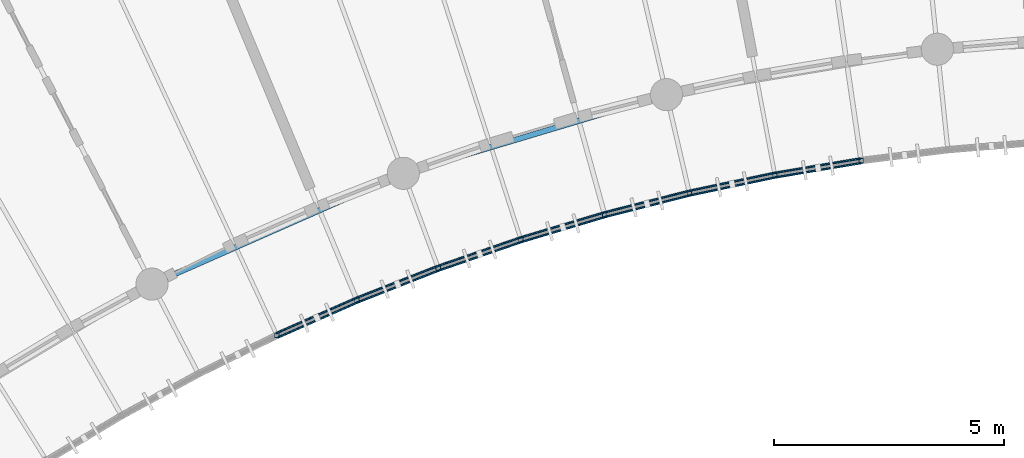
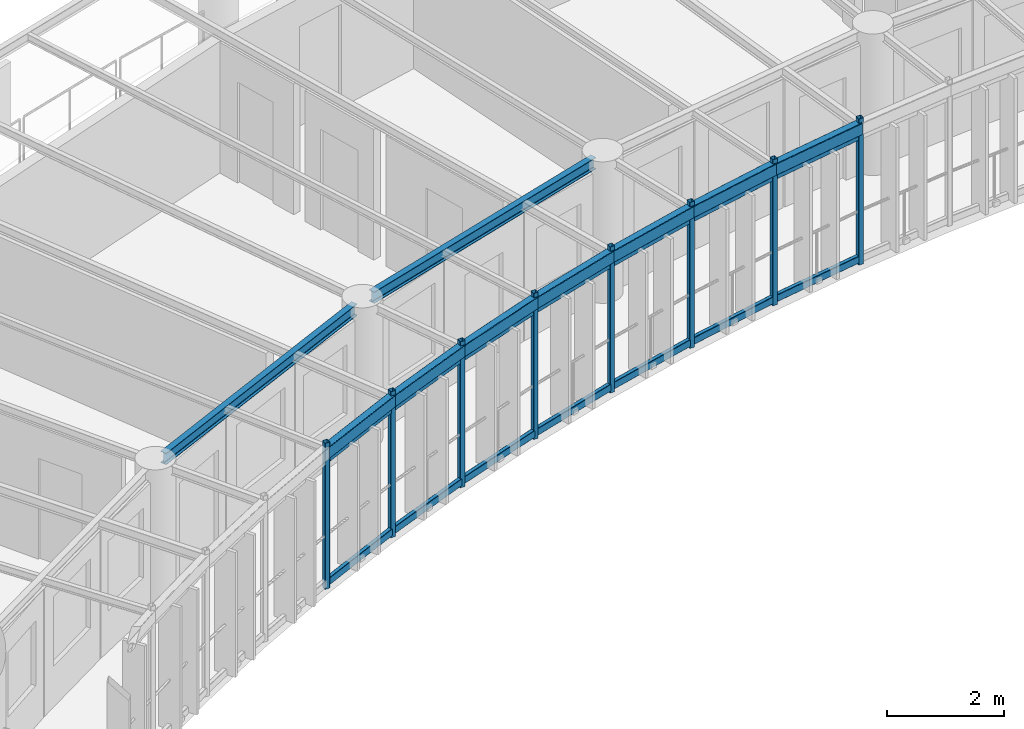
# One storey, part 44 of 123: 22 members, 9 beams.
"""IFC4 building model written with IfcOpenShell, lengths in metres."""

from ifc_helpers import new_model, si_unit, direction, frame, origin, origin_2d, place, context, subcontext, project, spatial, hollow_rectangle, i_section, extrude, material, material_profile, profile_set, type_object, element, save


model = new_model("IFC4")

# Units and contexts
model_context = context("Model", 3, precision=1e-05, world=origin(), true_north=direction((0.0, 1.0)))
body_context = subcontext(model_context, "Body", "Model", "MODEL_VIEW")
ifc_project = project(units=[si_unit("LENGTHUNIT", "METRE"), si_unit("AREAUNIT", "SQUARE_METRE"), si_unit("VOLUMEUNIT", "CUBIC_METRE"), si_unit("PLANEANGLEUNIT", "RADIAN"), si_unit("MASSUNIT", "GRAM", prefix="KILO"), si_unit("POWERUNIT", "WATT"), si_unit("THERMODYNAMICTEMPERATUREUNIT", "KELVIN")], contexts=[model_context])

# Site, building, storey
site_placement = place(None, origin())
site = spatial("IfcSite", under=ifc_project, at=site_placement, CompositionType="ELEMENT")
building_placement = place(site_placement, origin())
building = spatial("IfcBuilding", under=site, at=building_placement, Name="Ruvembo Vaulted Housing Court", CompositionType="ELEMENT")
storey_placement = place(building_placement, frame((0.0, 0.0, 7.699951171875)))
storey = spatial("IfcBuildingStorey", under=building, at=storey_placement, Name="L02", CompositionType="ELEMENT", Elevation=7.699951171875)

# Beams
ifc_material = material(Name="Steel S355J2", Category="steel")
ifc_material_profile_1 = material_profile(ifc_material, i_section(OverallWidth=0.1201171875, OverallDepth=0.239990234375, WebThickness=0.006103515625, FlangeThickness=0.009765625, FilletRadius=0.014892578125, at=origin_2d()), Name="IPE 240")
ifc_profile_set_1 = profile_set([ifc_material_profile_1], Name="Steel S355J2")
beam_type_1 = type_object("IfcBeamType", Name="BM-ST-IPE240", PredefinedType="BEAM", material=ifc_profile_set_1)
for number, where, z_axis, x_axis, name in (
    (1, (95.156982421875, 92.726806640625, 2.822021484375), (0.91508701691, 0.403256433901, 0.0), (-0.403256433901, 0.91508701691, 0.0), "Scoop SC3 L02 Chord Girder F3"),
    (2, (100.63330078125, 95.10888671875, 2.822021484375), (0.958083049786, 0.286490610164, 0.0), (-0.286490610164, 0.958083049786, 0.0), "Scoop SC3 L02 Chord Girder F6"),
):
    element("IfcBeam", number, at=place(storey_placement, frame(where, z_axis=z_axis, x_axis=x_axis)), inside=storey, type_object=beam_type_1, Name=name, PredefinedType="BEAM", context=body_context, shape_type="SweptSolid", body=[
        extrude(i_section(OverallWidth=0.1201171875, OverallDepth=0.239990234375, WebThickness=0.006103515625, FlangeThickness=0.009765625, FilletRadius=0.014892578125, at=origin_2d()), origin(), (0.0, 0.0, 1.0), 5.513671875),
    ])
ifc_material_profile_2 = material_profile(ifc_material, hollow_rectangle(XDim=0.14990234375, YDim=0.25, WallThickness=0.010009765625, InnerFilletRadius=0.010009765625, OuterFilletRadius=0.02001953125, at=origin_2d()), Name="RHS 250x150x10")
ifc_profile_set_2 = profile_set([ifc_material_profile_2], Name="Steel S355J2")
beam_type_2 = type_object("IfcBeamType", Name="BM-ST-RHS250", PredefinedType="SPANDREL", material=ifc_profile_set_2)
for number, where, z_axis, x_axis, name in (
    (3, (97.663818359375, 91.51806640625, 2.81494140625), (0.91507815309, 0.403276547467, 0.0), (-0.403276547467, 0.91507815309, 0.0), "Scoop SC3 L02 Balcony Edge Spandrel 4"),
    (4, (99.4033203125, 92.28466796875, 2.81494140625), (0.931005720133, 0.365004587752, 0.0), (-0.365004587752, 0.931005720133, 0.0), "Scoop SC3 L02 Balcony Edge Spandrel 5"),
):
    element("IfcBeam", number, at=place(storey_placement, frame(where, z_axis=z_axis, x_axis=x_axis)), inside=storey, type_object=beam_type_2, Name=name, PredefinedType="SPANDREL", context=body_context, shape_type="SweptSolid", body=[
        extrude(hollow_rectangle(XDim=0.14990234375, YDim=0.25, WallThickness=0.010009765625, InnerFilletRadius=0.010009765625, OuterFilletRadius=0.02001953125, at=origin_2d()), origin(), (0.0, 0.0, 1.0), 1.90087890625),
    ])
beam_1_placement = place(storey_placement, frame((101.173095703125, 92.978515625, 2.81494140625), z_axis=(0.945357969834, 0.326034214264, 0.0), x_axis=(-0.326034214264, 0.945357969834, 0.0)))
element("IfcBeam", 5, at=beam_1_placement, inside=storey, type_object=beam_type_2, Name="Scoop SC3 L02 Balcony Edge Spandrel 6", PredefinedType="SPANDREL", context=body_context, shape_type="SweptSolid", body=[
    extrude(hollow_rectangle(XDim=0.14990234375, YDim=0.25, WallThickness=0.010009765625, InnerFilletRadius=0.010009765625, OuterFilletRadius=0.02001953125, at=origin_2d()), origin(), (0.0, 0.0, 1.0), 1.9013671875),
])
for number, where, z_axis, x_axis, name in (
    (6, (102.970458984375, 93.598388671875, 2.81494140625), (0.958108609181, 0.286405120439, 0.0), (-0.286405120439, 0.958108609181, 0.0), "Scoop SC3 L02 Balcony Edge Spandrel 7"),
    (7, (104.791748046875, 94.142822265625, 2.81494140625), (0.969121730429, 0.246582788553, 0.0), (-0.246582788553, 0.969121730429, 0.0), "Scoop SC3 L02 Balcony Edge Spandrel 8"),
):
    element("IfcBeam", number, at=place(storey_placement, frame(where, z_axis=z_axis, x_axis=x_axis)), inside=storey, type_object=beam_type_2, Name=name, PredefinedType="SPANDREL", context=body_context, shape_type="SweptSolid", body=[
        extrude(hollow_rectangle(XDim=0.14990234375, YDim=0.25, WallThickness=0.010009765625, InnerFilletRadius=0.010009765625, OuterFilletRadius=0.02001953125, at=origin_2d()), origin(), (0.0, 0.0, 1.0), 1.90087890625),
    ])
beam_2_placement = place(storey_placement, frame((106.634033203125, 94.611572265625, 2.81494140625), z_axis=(0.978529342624, 0.206107558387, 0.0), x_axis=(-0.206107558387, 0.978529342624, 0.0)))
element("IfcBeam", 8, at=beam_2_placement, inside=storey, type_object=beam_type_2, Name="Scoop SC3 L02 Balcony Edge Spandrel 9", PredefinedType="SPANDREL", context=body_context, shape_type="SweptSolid", body=[
    extrude(hollow_rectangle(XDim=0.14990234375, YDim=0.25, WallThickness=0.010009765625, InnerFilletRadius=0.010009765625, OuterFilletRadius=0.02001953125, at=origin_2d()), origin(), (0.0, 0.0, 1.0), 1.901123046875),
])
beam_3_placement = place(storey_placement, frame((108.494384765625, 95.00341796875, 2.81494140625), z_axis=(0.986265186139, 0.165169557153, 0.0), x_axis=(-0.165169557153, 0.986265186139, 0.0)))
element("IfcBeam", 9, at=beam_3_placement, inside=storey, type_object=beam_type_2, Name="Scoop SC3 L02 Balcony Edge Spandrel 10", PredefinedType="SPANDREL", context=body_context, shape_type="SweptSolid", body=[
    extrude(hollow_rectangle(XDim=0.14990234375, YDim=0.25, WallThickness=0.010009765625, InnerFilletRadius=0.010009765625, OuterFilletRadius=0.02001953125, at=origin_2d()), origin(), (0.0, 0.0, 1.0), 1.90087890625),
])

# Members
ifc_material_profile_3 = material_profile(ifc_material, hollow_rectangle(XDim=0.06005859375, YDim=0.1201171875, WallThickness=0.0048828125, InnerFilletRadius=0.0048828125, OuterFilletRadius=0.010009765625, at=origin_2d()), Name="RHS 120x60x5")
ifc_profile_set_3 = profile_set([ifc_material_profile_3], Name="Steel S355J2")
member_type_1 = type_object("IfcMemberType", Name="MEM-CAR-RHS120", PredefinedType="CHORD", material=ifc_profile_set_3)
for number, where, z_axis, x_axis, name in (
    (10, (97.663818359375, 91.51806640625, 2.633056640625), (0.91507815309, 0.403276547467, 0.0), (-0.403276547467, 0.91507815309, 0.0), "Scoop SC3 L02 Upper Louvre Carrier Rail 4"),
    (11, (99.4033203125, 92.28466796875, 2.633056640625), (0.931005720133, 0.365004587752, 0.0), (-0.365004587752, 0.931005720133, 0.0), "Scoop SC3 L02 Upper Louvre Carrier Rail 5"),
):
    element("IfcMember", number, at=place(storey_placement, frame(where, z_axis=z_axis, x_axis=x_axis)), inside=storey, type_object=member_type_1, Name=name, PredefinedType="CHORD", context=body_context, shape_type="SweptSolid", body=[
        extrude(hollow_rectangle(XDim=0.06005859375, YDim=0.1201171875, WallThickness=0.0048828125, InnerFilletRadius=0.0048828125, OuterFilletRadius=0.010009765625, at=origin_2d()), origin(), (0.0, 0.0, 1.0), 1.90087890625),
    ])
member_1_placement = place(storey_placement, frame((101.173095703125, 92.978515625, 2.633056640625), z_axis=(0.945357969834, 0.326034214264, 0.0), x_axis=(-0.326034214264, 0.945357969834, 0.0)))
element("IfcMember", 12, at=member_1_placement, inside=storey, type_object=member_type_1, Name="Scoop SC3 L02 Upper Louvre Carrier Rail 6", PredefinedType="CHORD", context=body_context, shape_type="SweptSolid", body=[
    extrude(hollow_rectangle(XDim=0.06005859375, YDim=0.1201171875, WallThickness=0.0048828125, InnerFilletRadius=0.0048828125, OuterFilletRadius=0.010009765625, at=origin_2d()), origin(), (0.0, 0.0, 1.0), 1.9013671875),
])
for number, where, z_axis, x_axis, name in (
    (13, (102.970458984375, 93.598388671875, 2.633056640625), (0.958108609181, 0.286405120439, 0.0), (-0.286405120439, 0.958108609181, 0.0), "Scoop SC3 L02 Upper Louvre Carrier Rail 7"),
    (14, (104.791748046875, 94.142822265625, 2.633056640625), (0.969121730429, 0.246582788553, 0.0), (-0.246582788553, 0.969121730429, 0.0), "Scoop SC3 L02 Upper Louvre Carrier Rail 8"),
):
    element("IfcMember", number, at=place(storey_placement, frame(where, z_axis=z_axis, x_axis=x_axis)), inside=storey, type_object=member_type_1, Name=name, PredefinedType="CHORD", context=body_context, shape_type="SweptSolid", body=[
        extrude(hollow_rectangle(XDim=0.06005859375, YDim=0.1201171875, WallThickness=0.0048828125, InnerFilletRadius=0.0048828125, OuterFilletRadius=0.010009765625, at=origin_2d()), origin(), (0.0, 0.0, 1.0), 1.90087890625),
    ])
member_2_placement = place(storey_placement, frame((106.634033203125, 94.611572265625, 2.633056640625), z_axis=(0.978529342624, 0.206107558387, 0.0), x_axis=(-0.206107558387, 0.978529342624, 0.0)))
element("IfcMember", 15, at=member_2_placement, inside=storey, type_object=member_type_1, Name="Scoop SC3 L02 Upper Louvre Carrier Rail 9", PredefinedType="CHORD", context=body_context, shape_type="SweptSolid", body=[
    extrude(hollow_rectangle(XDim=0.06005859375, YDim=0.1201171875, WallThickness=0.0048828125, InnerFilletRadius=0.0048828125, OuterFilletRadius=0.010009765625, at=origin_2d()), origin(), (0.0, 0.0, 1.0), 1.901123046875),
])
member_3_placement = place(storey_placement, frame((108.494384765625, 95.00341796875, 2.633056640625), z_axis=(0.986265186139, 0.165169557153, 0.0), x_axis=(-0.165169557153, 0.986265186139, 0.0)))
element("IfcMember", 16, at=member_3_placement, inside=storey, type_object=member_type_1, Name="Scoop SC3 L02 Upper Louvre Carrier Rail 10", PredefinedType="CHORD", context=body_context, shape_type="SweptSolid", body=[
    extrude(hollow_rectangle(XDim=0.06005859375, YDim=0.1201171875, WallThickness=0.0048828125, InnerFilletRadius=0.0048828125, OuterFilletRadius=0.010009765625, at=origin_2d()), origin(), (0.0, 0.0, 1.0), 1.90087890625),
])
ifc_material_profile_4 = material_profile(ifc_material, hollow_rectangle(XDim=0.080078125, YDim=0.14990234375, WallThickness=0.00634765625, InnerFilletRadius=0.00634765625, OuterFilletRadius=0.0126953125, at=origin_2d()), Name="RHS 150x80x6.3")
ifc_profile_set_4 = profile_set([ifc_material_profile_4], Name="Steel S355J2")
member_type_2 = type_object("IfcMemberType", Name="MEM-CAR-RHS150", PredefinedType="CHORD", material=ifc_profile_set_4)
for number, where, z_axis, x_axis, name in (
    (17, (97.663818359375, 91.51806640625, 0.094970703125), (0.91507815309, 0.403276547467, 0.0), (-0.403276547467, 0.91507815309, 0.0), "Scoop SC3 L02 Lower Louvre Carrier Rail 4"),
    (18, (99.4033203125, 92.28466796875, 0.094970703125), (0.931005720133, 0.365004587752, 0.0), (-0.365004587752, 0.931005720133, 0.0), "Scoop SC3 L02 Lower Louvre Carrier Rail 5"),
):
    element("IfcMember", number, at=place(storey_placement, frame(where, z_axis=z_axis, x_axis=x_axis)), inside=storey, type_object=member_type_2, Name=name, PredefinedType="CHORD", context=body_context, shape_type="SweptSolid", body=[
        extrude(hollow_rectangle(XDim=0.080078125, YDim=0.14990234375, WallThickness=0.00634765625, InnerFilletRadius=0.00634765625, OuterFilletRadius=0.0126953125, at=origin_2d()), origin(), (0.0, 0.0, 1.0), 1.90087890625),
    ])
member_4_placement = place(storey_placement, frame((101.173095703125, 92.978515625, 0.094970703125), z_axis=(0.945357969834, 0.326034214264, 0.0), x_axis=(-0.326034214264, 0.945357969834, 0.0)))
element("IfcMember", 19, at=member_4_placement, inside=storey, type_object=member_type_2, Name="Scoop SC3 L02 Lower Louvre Carrier Rail 6", PredefinedType="CHORD", context=body_context, shape_type="SweptSolid", body=[
    extrude(hollow_rectangle(XDim=0.080078125, YDim=0.14990234375, WallThickness=0.00634765625, InnerFilletRadius=0.00634765625, OuterFilletRadius=0.0126953125, at=origin_2d()), origin(), (0.0, 0.0, 1.0), 1.9013671875),
])
for number, where, z_axis, x_axis, name in (
    (20, (102.970458984375, 93.598388671875, 0.094970703125), (0.958108609181, 0.286405120439, 0.0), (-0.286405120439, 0.958108609181, 0.0), "Scoop SC3 L02 Lower Louvre Carrier Rail 7"),
    (21, (104.791748046875, 94.142822265625, 0.094970703125), (0.969121730429, 0.246582788553, 0.0), (-0.246582788553, 0.969121730429, 0.0), "Scoop SC3 L02 Lower Louvre Carrier Rail 8"),
):
    element("IfcMember", number, at=place(storey_placement, frame(where, z_axis=z_axis, x_axis=x_axis)), inside=storey, type_object=member_type_2, Name=name, PredefinedType="CHORD", context=body_context, shape_type="SweptSolid", body=[
        extrude(hollow_rectangle(XDim=0.080078125, YDim=0.14990234375, WallThickness=0.00634765625, InnerFilletRadius=0.00634765625, OuterFilletRadius=0.0126953125, at=origin_2d()), origin(), (0.0, 0.0, 1.0), 1.90087890625),
    ])
member_5_placement = place(storey_placement, frame((106.634033203125, 94.611572265625, 0.094970703125), z_axis=(0.978529342624, 0.206107558387, 0.0), x_axis=(-0.206107558387, 0.978529342624, 0.0)))
element("IfcMember", 22, at=member_5_placement, inside=storey, type_object=member_type_2, Name="Scoop SC3 L02 Lower Louvre Carrier Rail 9", PredefinedType="CHORD", context=body_context, shape_type="SweptSolid", body=[
    extrude(hollow_rectangle(XDim=0.080078125, YDim=0.14990234375, WallThickness=0.00634765625, InnerFilletRadius=0.00634765625, OuterFilletRadius=0.0126953125, at=origin_2d()), origin(), (0.0, 0.0, 1.0), 1.901123046875),
])
member_6_placement = place(storey_placement, frame((108.494384765625, 95.00341796875, 0.094970703125), z_axis=(0.986265186139, 0.165169557153, 0.0), x_axis=(-0.165169557153, 0.986265186139, 0.0)))
element("IfcMember", 23, at=member_6_placement, inside=storey, type_object=member_type_2, Name="Scoop SC3 L02 Lower Louvre Carrier Rail 10", PredefinedType="CHORD", context=body_context, shape_type="SweptSolid", body=[
    extrude(hollow_rectangle(XDim=0.080078125, YDim=0.14990234375, WallThickness=0.00634765625, InnerFilletRadius=0.00634765625, OuterFilletRadius=0.0126953125, at=origin_2d()), origin(), (0.0, 0.0, 1.0), 1.90087890625),
])
ifc_material_profile_5 = material_profile(ifc_material, hollow_rectangle(XDim=0.10009765625, YDim=0.10009765625, WallThickness=0.00634765625, InnerFilletRadius=0.00634765625, OuterFilletRadius=0.0126953125, at=origin_2d()), Name="SHS 100x100x6.3")
ifc_profile_set_5 = profile_set([ifc_material_profile_5], Name="Steel S355J2")
member_type_3 = type_object("IfcMemberType", Name="MEM-FRM-SHS100", PredefinedType="STRUT", material=ifc_profile_set_5)
for number, where, z_axis, x_axis, name in (
    (24, (97.663818359375, 91.51806640625, -0.014892578125), (0.0, 0.0, 1.0), (1.0, 0.0, 0.0), "Scoop SC3 L02 Louvre Frame Post 4"),
    (25, (99.4033203125, 92.28466796875, -0.014892578125), (0.0, 0.0, 1.0), (1.0, 0.0, 0.0), "Scoop SC3 L02 Louvre Frame Post 5"),
    (26, (101.173095703125, 92.978515625, -0.014892578125), (0.0, 0.0, 1.0), (1.0, 0.0, 0.0), "Scoop SC3 L02 Louvre Frame Post 6"),
    (27, (102.970458984375, 93.598388671875, -0.014892578125), (0.0, 0.0, 1.0), (1.0, 0.0, 0.0), "Scoop SC3 L02 Louvre Frame Post 7"),
    (28, (104.791748046875, 94.142822265625, -0.014892578125), (0.0, 0.0, 1.0), (1.0, 0.0, 0.0), "Scoop SC3 L02 Louvre Frame Post 8"),
    (29, (106.634033203125, 94.611572265625, -0.014892578125), (0.0, 0.0, 1.0), (1.0, 0.0, 0.0), "Scoop SC3 L02 Louvre Frame Post 9"),
    (30, (108.494384765625, 95.00341796875, -0.014892578125), (0.0, 0.0, 1.0), (1.0, 0.0, 0.0), "Scoop SC3 L02 Louvre Frame Post 10"),
    (31, (110.369140625, 95.3173828125, -0.014892578125), (0.0, 0.0, 1.0), (1.0, 0.0, 0.0), "Scoop SC3 L02 Louvre Frame Post 11"),
):
    element("IfcMember", number, at=place(storey_placement, frame(where, z_axis=z_axis, x_axis=x_axis)), inside=storey, type_object=member_type_3, Name=name, PredefinedType="STRUT", context=body_context, shape_type="SweptSolid", body=[
        extrude(hollow_rectangle(XDim=0.10009765625, YDim=0.10009765625, WallThickness=0.00634765625, InnerFilletRadius=0.00634765625, OuterFilletRadius=0.0126953125, at=origin_2d()), origin(), (0.0, 0.0, 1.0), 3.041015625),
    ])

save(model, "model.ifc")
